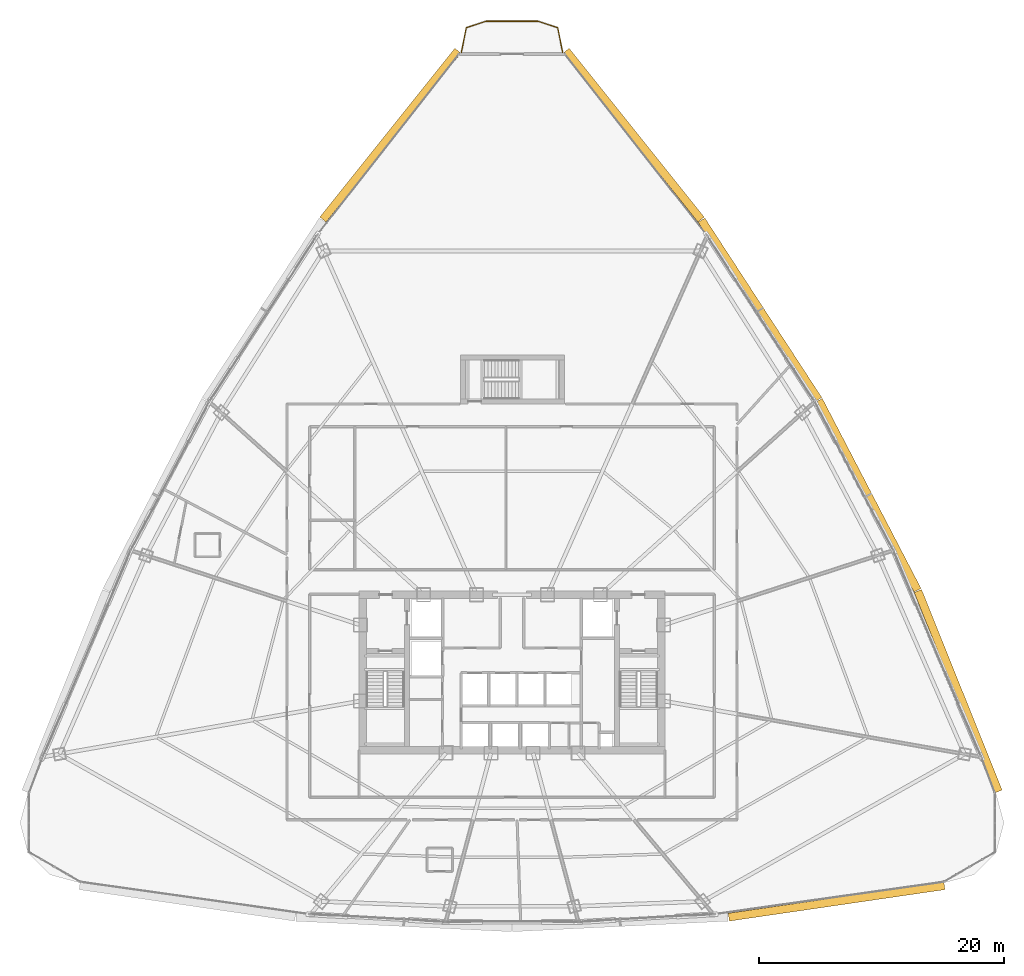
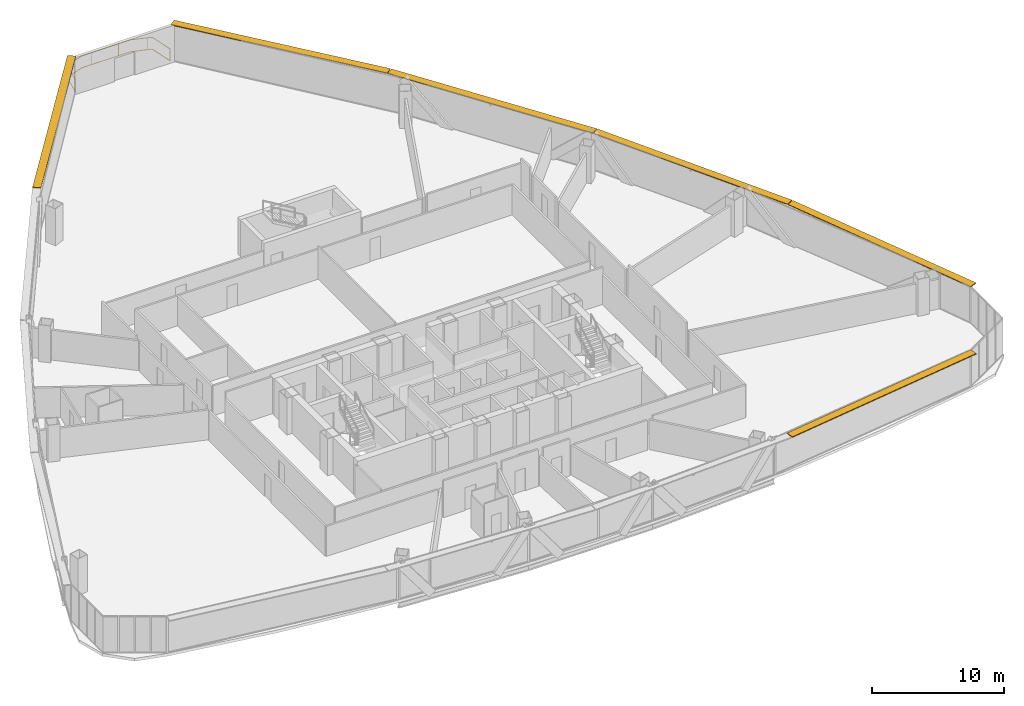
# One storey, part 41 of 41: 6 shading devices, 1 railing.
"""IFC4 building model written with IfcOpenShell, lengths in metres."""

from ifc_helpers import new_model, si_unit, direction, frame, origin, origin_2d, place, context, subcontext, project, spatial, rectangle, extrude, source, transform, mapped, material, layer, layer_set, type_object, element, save


model = new_model("IFC4")

# Units and contexts
model_context = context("Model", 3, precision=1e-05, world=origin(), true_north=direction((0.0, 1.0)))
body_context = subcontext(model_context, "Body", "Model", "MODEL_VIEW")
ifc_project = project(units=[si_unit("LENGTHUNIT", "METRE"), si_unit("AREAUNIT", "SQUARE_METRE"), si_unit("VOLUMEUNIT", "CUBIC_METRE"), si_unit("PLANEANGLEUNIT", "RADIAN"), si_unit("MASSUNIT", "GRAM", prefix="KILO"), si_unit("THERMODYNAMICTEMPERATUREUNIT", "KELVIN"), si_unit("POWERUNIT", "WATT")], contexts=[model_context])

# Site, building, storey
site_placement = place(None, origin())
site = spatial("IfcSite", under=ifc_project, at=site_placement, CompositionType="ELEMENT")
building_placement = place(site_placement, origin())
building = spatial("IfcBuilding", under=site, at=building_placement, Name="Yunzhuo Pagoda Commons", CompositionType="ELEMENT")
storey_placement = place(building_placement, frame((0.0, 0.0, 155.590087890625)))
storey = spatial("IfcBuildingStorey", under=building, at=storey_placement, Name="L39", CompositionType="ELEMENT", Elevation=155.590087890625)

# Railing
ifc_material = material(Name="Anodized aluminium 6063-T6", Category="aluminium")
railing_type = type_object("IfcRailingType", Name="RL-BAL1 Exterior Terrace & Balcony Balustrade 1150", PredefinedType="BALUSTRADE", material=ifc_material)
railing_placement = place(storey_placement, frame((52.140869140625, 84.543212890625, 0.0)))
element("IfcRailing", 1, at=railing_placement, inside=storey, type_object=railing_type, Name="L39 corner balcony balustrade V3", PredefinedType="BALUSTRADE", context=body_context, shape_type="SweptSolid", body=[
    extrude(rectangle(XDim=0.048095703125, YDim=0.048095703125, at=origin_2d()), frame((0.0, 0.0, 1.1259765625), z_axis=(-0.194337253182, 0.980934774603, 0.0), x_axis=(-0.980934774603, -0.194337253182, 0.0)), (0.0, 0.0, 1.0), 2.05908203125),
    extrude(rectangle(XDim=0.048095703125, YDim=0.048095703125, at=origin_2d()), frame((0.0, 0.0, 0.02392578125), z_axis=(-0.194337253182, 0.980934774603, 0.0), x_axis=(-0.980934774603, -0.194337253182, 0.0)), (0.0, 0.0, 1.0), 2.05908203125),
    extrude(rectangle(XDim=0.048095703125, YDim=0.048095703125, at=origin_2d()), frame((-0.400146484375, 2.019775390625, 1.1259765625), z_axis=(-0.951006855199, 0.309169793746, 0.0), x_axis=(-0.309169793746, -0.951006855199, 0.0)), (0.0, 0.0, 1.0), 1.71435546875),
    extrude(rectangle(XDim=0.048095703125, YDim=0.048095703125, at=origin_2d()), frame((-0.400146484375, 2.019775390625, 0.02392578125), z_axis=(-0.951006855199, 0.309169793746, 0.0), x_axis=(-0.309169793746, -0.951006855199, 0.0)), (0.0, 0.0, 1.0), 1.71435546875),
    extrude(rectangle(XDim=0.048095703125, YDim=0.048095703125, at=origin_2d()), frame((-2.030517578125, 2.5498046875, 1.1259765625), z_axis=(-1.0, 0.0, 0.0), x_axis=(0.0, -1.0, 0.0)), (0.0, 0.0, 1.0), 4.220703125),
    extrude(rectangle(XDim=0.048095703125, YDim=0.048095703125, at=origin_2d()), frame((-2.030517578125, 2.5498046875, 0.02392578125), z_axis=(-1.0, 0.0, 0.0), x_axis=(0.0, -1.0, 0.0)), (0.0, 0.0, 1.0), 4.220703125),
    extrude(rectangle(XDim=0.048095703125, YDim=0.048095703125, at=origin_2d()), frame((-6.251220703125, 2.5498046875, 1.1259765625), z_axis=(-0.951006855199, -0.309169793746, 0.0), x_axis=(0.309169793746, -0.951006855199, 0.0)), (0.0, 0.0, 1.0), 1.71435546875),
    extrude(rectangle(XDim=0.048095703125, YDim=0.048095703125, at=origin_2d()), frame((-6.251220703125, 2.5498046875, 0.02392578125), z_axis=(-0.951006855199, -0.309169793746, 0.0), x_axis=(0.309169793746, -0.951006855199, 0.0)), (0.0, 0.0, 1.0), 1.71435546875),
    extrude(rectangle(XDim=0.048095703125, YDim=0.048095703125, at=origin_2d()), frame((-7.881591796875, 2.019775390625, 1.1259765625), z_axis=(-0.194337253182, -0.980934774603, 0.0), x_axis=(0.980934774603, -0.194337253182, 0.0)), (0.0, 0.0, 1.0), 2.05908203125),
    extrude(rectangle(XDim=0.048095703125, YDim=0.048095703125, at=origin_2d()), frame((-7.881591796875, 2.019775390625, 0.02392578125), z_axis=(-0.194337253182, -0.980934774603, 0.0), x_axis=(0.980934774603, -0.194337253182, 0.0)), (0.0, 0.0, 1.0), 2.05908203125),
    extrude(rectangle(XDim=0.0419921875, YDim=0.0419921875, at=origin_2d()), origin(), (0.0, 0.0, 1.0), 1.101806640625),
    extrude(rectangle(XDim=0.0419921875, YDim=0.0419921875, at=origin_2d()), frame((-0.724365234375, 2.125244140625, 0.0)), (0.0, 0.0, 1.0), 1.101806640625),
    extrude(rectangle(XDim=0.0419921875, YDim=0.0419921875, at=origin_2d()), frame((-3.05712890625, 2.5498046875, 0.0)), (0.0, 0.0, 1.0), 1.101806640625),
    extrude(rectangle(XDim=0.0419921875, YDim=0.0419921875, at=origin_2d()), frame((-5.45703125, 2.5498046875, 0.0)), (0.0, 0.0, 1.0), 1.101806640625),
    extrude(rectangle(XDim=0.0419921875, YDim=0.0419921875, at=origin_2d()), frame((-8.28173828125, 0.0, 0.0)), (0.0, 0.0, 1.0), 1.101806640625),
])

# Shading devices
ifc_layer = layer(ifc_material, 0.080078125)
ifc_layer_set = layer_set([ifc_layer], Name="Anodized aluminium 6063-T6")
shading_device_type = type_object("IfcShadingDeviceType", Name="SH-SUN1 Pagoda Horizontal Sunshade Eave 650", PredefinedType="USERDEFINED", material=ifc_layer_set)
shared_shape_1 = source(origin(), body_context, "Body", "SweptSolid", [
    extrude(rectangle(XDim=17.81640625, YDim=0.64990234375, at=origin_2d()), origin(), (0.0, 0.0, 1.0), 0.080078125),
])
shading_device_1_placement = place(storey_placement, frame((74.538330078125, 15.126708984375, 3.33984375), z_axis=(0.0, 0.0, 1.0), x_axis=(0.989510666697, 0.144459823108, 0.0)))
element("IfcShadingDevice", 2, at=shading_device_1_placement, inside=storey, type_object=shading_device_type, Name="L39 horizontal pagoda sunshade eave F1.4", ObjectType="SUNSHADE", PredefinedType="USERDEFINED", context=body_context, shape_type="MappedRepresentation", body=[
    mapped(shared_shape_1, transform((0.0, 0.0, 0.0), scale=1.0)),
])
shared_shape_2 = source(origin(), body_context, "Body", "SweptSolid", [
    extrude(rectangle(XDim=17.673095703125, YDim=0.64990234375, at=origin_2d()), origin(), (0.0, 0.0, 1.0), 0.080078125),
])
for number, where, z_axis, x_axis, name in (
    (3, (84.478271484375, 32.31201171875, 3.33984375), (0.0, 0.0, 1.0), (-0.372987782576, 0.927836253899, 0.0), "L39 horizontal pagoda sunshade eave F2.1"),
    (4, (57.939208984375, 77.77587890625, 3.33984375), (0.0, 0.0, 1.0), (-0.624520471688, 0.781008438138, 0.0), "L39 horizontal pagoda sunshade eave F2.4"),
    (5, (38.060791015625, 77.77587890625, 3.33984375), (0.0, 0.0, 1.0), (-0.624520471688, -0.781008438138, 0.0), "L39 horizontal pagoda sunshade eave F3.1"),
):
    element("IfcShadingDevice", number, at=place(storey_placement, frame(where, z_axis=z_axis, x_axis=x_axis)), inside=storey, type_object=shading_device_type, Name=name, ObjectType="SUNSHADE", PredefinedType="USERDEFINED", context=body_context, shape_type="MappedRepresentation", body=[
        mapped(shared_shape_2, transform((0.0, 0.0, 0.0), scale=1.0)),
    ])
shared_shape_3 = source(origin(), body_context, "Body", "SweptSolid", [
    extrude(rectangle(XDim=17.50537109375, YDim=0.64990234375, at=origin_2d()), origin(), (0.0, 0.0, 1.0), 0.080078125),
])
shading_device_2_placement = place(storey_placement, frame((77.119140625, 48.334716796875, 3.33984375), z_axis=(0.0, 0.0, 1.0), x_axis=(-0.461206683033, 0.88729273384, 0.0)))
element("IfcShadingDevice", 6, at=shading_device_2_placement, inside=storey, type_object=shading_device_type, Name="L39 horizontal pagoda sunshade eave F2.2", ObjectType="SUNSHADE", PredefinedType="USERDEFINED", context=body_context, shape_type="MappedRepresentation", body=[
    mapped(shared_shape_3, transform((0.0, 0.0, 0.0), scale=1.0)),
])
shared_shape_4 = source(origin(), body_context, "Body", "SweptSolid", [
    extrude(rectangle(XDim=17.505615234375, YDim=0.64990234375, at=origin_2d()), origin(), (0.0, 0.0, 1.0), 0.080078125),
])
shading_device_3_placement = place(storey_placement, frame((68.272705078125, 63.489501953125, 3.33984375), z_axis=(0.0, 0.0, 1.0), x_axis=(-0.545838756973, 0.837890238269, 0.0)))
element("IfcShadingDevice", 7, at=shading_device_3_placement, inside=storey, type_object=shading_device_type, Name="L39 horizontal pagoda sunshade eave F2.3", ObjectType="SUNSHADE", PredefinedType="USERDEFINED", context=body_context, shape_type="MappedRepresentation", body=[
    mapped(shared_shape_4, transform((0.0, 0.0, 0.0), scale=1.0)),
])

save(model, "model.ifc")
